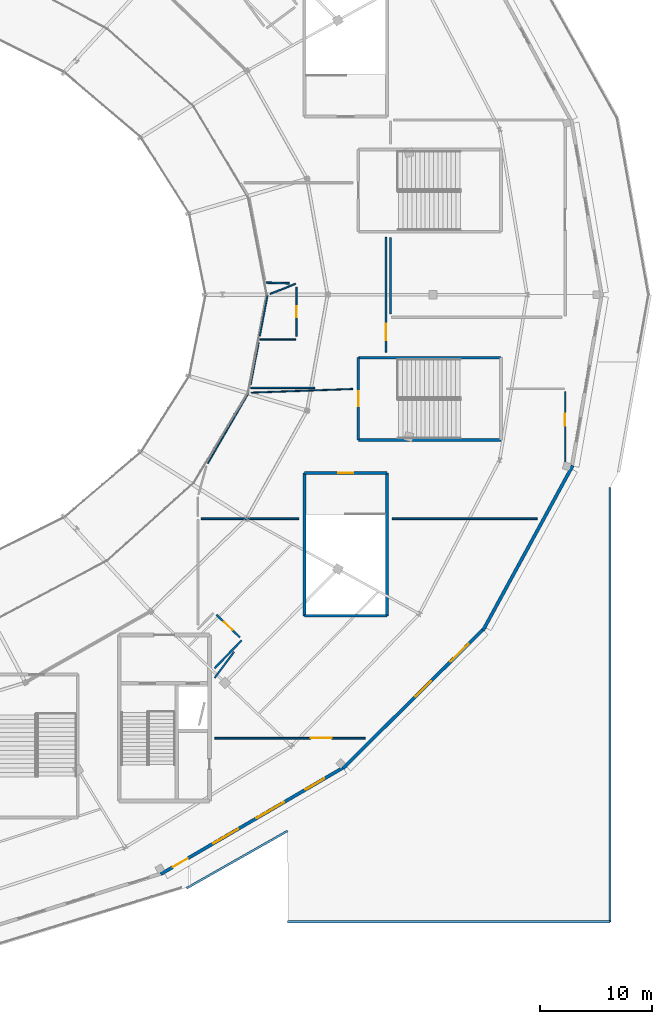
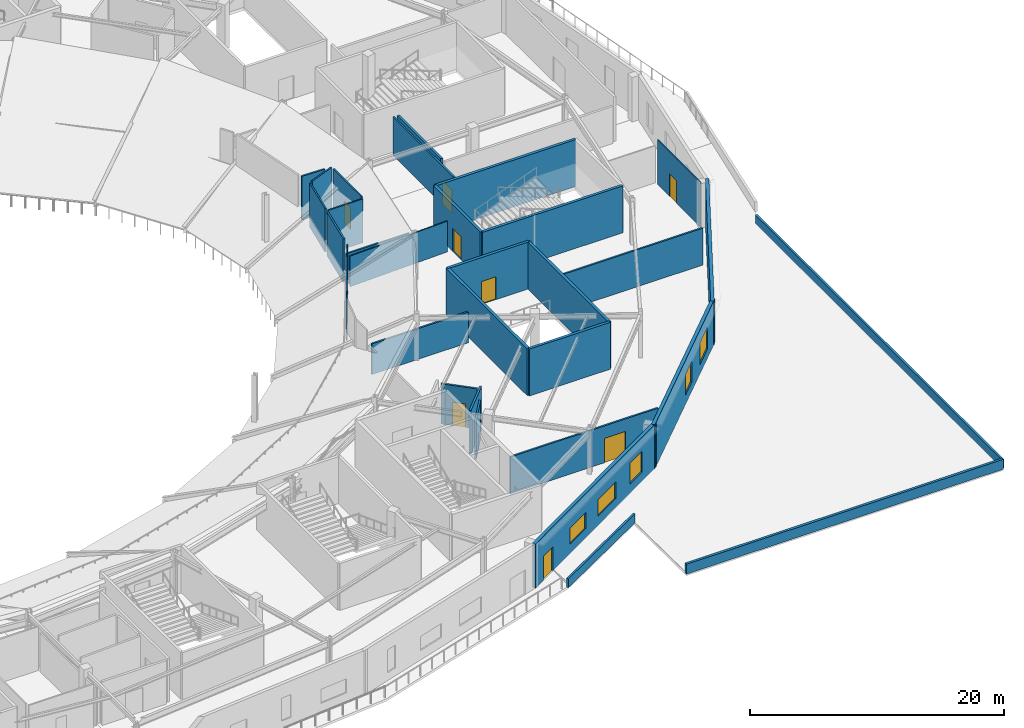
# One storey, part 40 of 63: 31 walls, 8 doors, 5 windows, 13 openings.
"""IFC4 building model written with IfcOpenShell, lengths in metres."""

from ifc_helpers import new_model, si_unit, direction, frame, frame_2d, origin, place, context, subcontext, project, spatial, rectangle, extrude, material, layer, layer_set, type_object, element, fill, save


model = new_model("IFC4")

# Units and contexts
model_context = context("Model", 3, precision=1e-05, world=origin(), true_north=direction((0.0, 1.0)))
body_context = subcontext(model_context, "Body", "Model", "MODEL_VIEW")
ifc_project = project(units=[si_unit("LENGTHUNIT", "METRE"), si_unit("AREAUNIT", "SQUARE_METRE"), si_unit("VOLUMEUNIT", "CUBIC_METRE"), si_unit("PLANEANGLEUNIT", "RADIAN"), si_unit("MASSUNIT", "GRAM", prefix="KILO")], contexts=[model_context])

# Site, building, storey
site_placement = place(None, origin())
site = spatial("IfcSite", under=ifc_project, at=site_placement, CompositionType="ELEMENT")
building_placement = place(site_placement, origin())
building = spatial("IfcBuilding", under=site, at=building_placement, Name="Kalgoora Escarpment Arena", CompositionType="ELEMENT")
storey_placement = place(building_placement, frame((0.0, 0.0, 14.39990234375)))
storey = spatial("IfcBuildingStorey", under=building, at=storey_placement, Name="L03", CompositionType="ELEMENT", Elevation=14.39990234375)

# Walls
ifc_material_1 = material(Name="Impact-resistant athlete corridor partition", Category="gypsum")
ifc_layer_1 = layer(ifc_material_1, 0.155029296875)
ifc_layer_set_1 = layer_set([ifc_layer_1], Name="WAL-BOH-155")
wall_type_1 = type_object("IfcWallType", Name="WAL-BOH-155", PredefinedType="PARTITIONING", material=ifc_layer_set_1)
wall_1_placement = place(storey_placement, frame((136.292724609375, 29.772705078125, 0.0), z_axis=(0.0, 0.0, 1.0), x_axis=(0.597587406811, 0.801803773514, 0.0)))
element("IfcWall", 1, at=wall_1_placement, inside=storey, type_object=wall_type_1, Name="L03 East Athletic Conditioning Lab partition wall", PredefinedType="PARTITIONING", context=body_context, shape_type="SweptSolid", body=[
    extrude(rectangle(XDim=2.9013671875, YDim=0.155029296875, at=frame_2d((1.45068359375, 0.0))), origin(), (0.0, 0.0, 1.0), 3.695068359375),
])
wall_2_placement = place(storey_placement, frame((135.084716796875, 44.0, 0.0), z_axis=(0.0, 0.0, 1.0), x_axis=(1.0, 0.0, 0.0)))
element("IfcWall", 2, at=wall_2_placement, inside=storey, type_object=wall_type_1, Name="L03 East Athletic Conditioning Lab partition wall", PredefinedType="PARTITIONING", context=body_context, shape_type="SweptSolid", body=[
    extrude(rectangle(XDim=8.740234375, YDim=0.155029296875, at=frame_2d((4.3701171875, 0.0))), origin(), (0.0, 0.0, 1.0), 2.943115234375),
])
wall_3_placement = place(storey_placement, frame((152.175048828125, 44.0, 0.0), z_axis=(0.0, 0.0, 1.0), x_axis=(1.0, 0.0, 0.0)))
element("IfcWall", 3, at=wall_3_placement, inside=storey, type_object=wall_type_1, Name="L03 East Athletic Conditioning Lab partition wall", PredefinedType="PARTITIONING", context=body_context, shape_type="SweptSolid", body=[
    extrude(rectangle(XDim=12.927001953125, YDim=0.155029296875, at=frame_2d((6.46337890625, 0.0))), origin(), (0.0, 0.0, 1.0), 3.543212890625),
])

# Wall, opening, door
wall_4_placement = place(storey_placement, frame((149.76171875, 24.39990234375, 0.0), z_axis=(0.0, 0.0, 1.0), x_axis=(-1.0, 0.0, 0.0)))
wall_4 = element("IfcWall", 4, at=wall_4_placement, inside=storey, type_object=wall_type_1, Name="L03 East Athletic Conditioning Lab partition wall", PredefinedType="PARTITIONING", context=body_context, shape_type="SweptSolid", body=[
    extrude(rectangle(XDim=13.436767578125, YDim=0.155029296875, at=frame_2d((6.71826171875, 0.0))), origin(), (0.0, 0.0, 1.0), 3.543212890625),
])
opening_1_placement = place(wall_4_placement, frame((2.99951171875, 0.0, 0.0)))
opening_1 = element("IfcOpeningElement", 5, at=opening_1_placement, cuts=wall_4, Name="Opening FD-I121", PredefinedType="OPENING", context=body_context, shape_type="SweptSolid", body=[
    extrude(rectangle(XDim=1.89990234375, YDim=2.35009765625, at=frame_2d((0.949951171875, 1.175048828125))), frame((0.0, 0.08740234375, 0.0), z_axis=(0.0, -1.0, 0.0), x_axis=(1.0, 0.0, 0.0)), (0.0, 0.0, 1.0), 0.175048828125),
])
ifc_material_2 = material(Name="Wide double athlete & equipment hall door")
door_type_1 = type_object("IfcDoorType", Name="DR-ATH-1900", OperationType="NOTDEFINED", PredefinedType="DOOR", material=ifc_material_2)
door_1_placement = place(opening_1_placement, origin())
door_1 = element("IfcDoor", 6, at=door_1_placement, inside=storey, type_object=door_type_1, Name="East Athletic Conditioning Lab entrance door", OperationType="DOUBLE_DOOR_SINGLE_SWING", OverallHeight=2.35009765625, OverallWidth=1.89990234375, PredefinedType="DOOR", context=body_context, shape_type="SweptSolid", body=[
    extrude(rectangle(XDim=1.89990234375, YDim=2.35009765625, at=frame_2d((0.949951171875, 1.175048828125))), frame((0.0, 0.02490234375, 0.0), z_axis=(0.0, -1.0, 0.0), x_axis=(1.0, 0.0, 0.0)), (0.0, 0.0, 1.0), 0.050048828125),
])
fill(opening_1, door_1)

# Wall
ifc_material_3 = material(Name="Upper concourse insulated spandrel wall 40 MPa", Category="concrete")
ifc_layer_2 = layer(ifc_material_3, 0.2900390625)
ifc_layer_set_2 = layer_set([ifc_layer_2], Name="WAL-EXT-290")
wall_type_2 = type_object("IfcWallType", Name="WAL-EXT-290", PredefinedType="SOLIDWALL", material=ifc_layer_set_2)
wall_5_placement = place(storey_placement, frame((168.27490234375, 48.73974609375, 0.0), z_axis=(0.0, 0.0, 1.0), x_axis=(-0.47816402112, -0.878270555641, 0.0)))
element("IfcWall", 7, at=wall_5_placement, inside=storey, type_object=wall_type_2, Name="L03 limestone-faced external wall 067", PredefinedType="SOLIDWALL", context=body_context, shape_type="SweptSolid", body=[
    extrude(rectangle(XDim=16.75830078125, YDim=0.2900390625, at=frame_2d((8.379150390625, 0.0))), origin(), (0.0, 0.0, 1.0), 4.260009765625),
])

# Wall, openings, windows
wall_6_placement = place(storey_placement, frame((160.48681640625, 34.3212890625, 0.0), z_axis=(0.0, 0.0, 1.0), x_axis=(-0.710110182589, -0.704090568452, 0.0)))
wall_6 = element("IfcWall", 8, at=wall_6_placement, inside=storey, type_object=wall_type_2, Name="L03 limestone-faced external wall 068", PredefinedType="SOLIDWALL", context=body_context, shape_type="SweptSolid", body=[
    extrude(rectangle(XDim=17.926513671875, YDim=0.2900390625, at=frame_2d((8.96337890625, 0.0))), origin(), (0.0, 0.0, 1.0), 4.260009765625),
])
opening_2_placement = place(wall_6_placement, frame((2.125, 0.0, 0.89990234375)))
opening_2 = element("IfcOpeningElement", 9, at=opening_2_placement, cuts=wall_6, Name="Opening W-07", PredefinedType="OPENING", context=body_context, shape_type="SweptSolid", body=[
    extrude(rectangle(XDim=2.25, YDim=2.10009765625, at=frame_2d((1.125, 1.050048828125))), frame((0.0, 0.155029296875, 0.0), z_axis=(0.0, -1.0, 0.0), x_axis=(1.0, 0.0, 0.0)), (0.0, 0.0, 1.0), 0.31005859375),
])
opening_3_placement = place(wall_6_placement, frame((6.875, 0.0, 0.89990234375)))
opening_3 = element("IfcOpeningElement", 10, at=opening_3_placement, cuts=wall_6, Name="Opening W-09", PredefinedType="OPENING", context=body_context, shape_type="SweptSolid", body=[
    extrude(rectangle(XDim=1.949951171875, YDim=2.0, at=frame_2d((0.97509765625, 1.0))), frame((0.0, 0.155029296875, 0.0), z_axis=(0.0, -1.0, 0.0), x_axis=(1.0, 0.0, 0.0)), (0.0, 0.0, 1.0), 0.31005859375),
])
ifc_material_4 = material(Name="Low-E solar-control double glazing in champagne frame", Category="glass")
window_type_1 = type_object("IfcWindowType", Name="WIN-DECO-1950x2000", PartitioningType="SINGLE_PANEL", PredefinedType="WINDOW", material=ifc_material_4)
window_1_placement = place(opening_3_placement, origin())
window_1 = element("IfcWindow", 11, at=window_1_placement, inside=storey, type_object=window_type_1, Name="L03 scheduled facade window 108", OverallHeight=2.0, OverallWidth=1.949951171875, PartitioningType="SINGLE_PANEL", PredefinedType="WINDOW", context=body_context, shape_type="SweptSolid", body=[
    extrude(rectangle(XDim=1.949951171875, YDim=2.0, at=frame_2d((0.97509765625, 1.0))), frame((0.0, 0.030029296875, 0.0), z_axis=(0.0, -1.0, 0.0), x_axis=(1.0, 0.0, 0.0)), (0.0, 0.0, 1.0), 0.06005859375),
])
fill(opening_3, window_1)
ifc_material_5 = material(Name="Low-E solar-control double glazing in champagne frame", Category="glass")
window_type_2 = type_object("IfcWindowType", Name="WIN-DECO-2250x2100", PartitioningType="SINGLE_PANEL", PredefinedType="WINDOW", material=ifc_material_5)
window_2_placement = place(opening_2_placement, origin())
window_2 = element("IfcWindow", 12, at=window_2_placement, inside=storey, type_object=window_type_2, Name="L03 scheduled facade window 107", OverallHeight=2.10009765625, OverallWidth=2.25, PartitioningType="SINGLE_PANEL", PredefinedType="WINDOW", context=body_context, shape_type="SweptSolid", body=[
    extrude(rectangle(XDim=2.25, YDim=2.10009765625, at=frame_2d((1.125, 1.050048828125))), frame((0.0, 0.030029296875, 0.0), z_axis=(0.0, -1.0, 0.0), x_axis=(1.0, 0.0, 0.0)), (0.0, 0.0, 1.0), 0.06005859375),
])
fill(opening_2, window_2)

# Wall, openings, door, windows
wall_7_placement = place(storey_placement, frame((148.05078125, 21.925048828125, 0.0), z_axis=(0.0, 0.0, 1.0), x_axis=(-0.863607623942, -0.504164528572, 0.0)))
wall_7 = element("IfcWall", 13, at=wall_7_placement, inside=storey, type_object=wall_type_2, Name="L03 limestone-faced external wall 069", PredefinedType="SOLIDWALL", context=body_context, shape_type="SweptSolid", body=[
    extrude(rectangle(XDim=19.185791015625, YDim=0.2900390625, at=frame_2d((9.5927734375, 0.0))), origin(), (0.0, 0.0, 1.0), 4.260009765625),
])
opening_4_placement = place(wall_7_placement, frame((16.40087890625, 0.0, 0.0)))
opening_4 = element("IfcOpeningElement", 14, at=opening_4_placement, cuts=wall_7, Name="Opening TD22", PredefinedType="OPENING", context=body_context, shape_type="SweptSolid", body=[
    extrude(rectangle(XDim=1.550048828125, YDim=2.300048828125, at=frame_2d((0.77490234375, 1.14990234375))), frame((0.0, 0.155029296875, 0.0), z_axis=(0.0, -1.0, 0.0), x_axis=(1.0, 0.0, 0.0)), (0.0, 0.0, 1.0), 0.31005859375),
])
opening_5_placement = place(wall_7_placement, frame((2.27490234375, 0.0, 0.89990234375)))
opening_5 = element("IfcOpeningElement", 15, at=opening_5_placement, cuts=wall_7, Name="Opening W-09", PredefinedType="OPENING", context=body_context, shape_type="SweptSolid", body=[
    extrude(rectangle(XDim=1.949951171875, YDim=2.0, at=frame_2d((0.97509765625, 1.0))), frame((0.0, 0.155029296875, 0.0), z_axis=(0.0, -1.0, 0.0), x_axis=(1.0, 0.0, 0.0)), (0.0, 0.0, 1.0), 0.31005859375),
])
opening_6_placement = place(wall_7_placement, frame((6.425048828125, 0.0, 0.89990234375)))
opening_6 = element("IfcOpeningElement", 16, at=opening_6_placement, cuts=wall_7, Name="Opening W-11", PredefinedType="OPENING", context=body_context, shape_type="SweptSolid", body=[
    extrude(rectangle(XDim=2.85009765625, YDim=1.60009765625, at=frame_2d((1.425048828125, 0.800048828125))), frame((0.0, 0.155029296875, 0.0), z_axis=(0.0, -1.0, 0.0), x_axis=(1.0, 0.0, 0.0)), (0.0, 0.0, 1.0), 0.31005859375),
])
opening_7_placement = place(wall_7_placement, frame((11.175048828125, 0.0, 0.89990234375)))
opening_7 = element("IfcOpeningElement", 17, at=opening_7_placement, cuts=wall_7, Name="Opening W-13", PredefinedType="OPENING", context=body_context, shape_type="SweptSolid", body=[
    extrude(rectangle(XDim=2.550048828125, YDim=1.550048828125, at=frame_2d((1.27490234375, 0.77490234375))), frame((0.0, 0.155029296875, 0.0), z_axis=(0.0, -1.0, 0.0), x_axis=(1.0, 0.0, 0.0)), (0.0, 0.0, 1.0), 0.31005859375),
])
ifc_material_6 = material(Name="Thermally broken aluminium glazed terrace double door", Category="aluminium")
door_type_2 = type_object("IfcDoorType", Name="DR-TERR-1550", OperationType="NOTDEFINED", PredefinedType="DOOR", material=ifc_material_6)
door_2_placement = place(opening_4_placement, origin())
door_2 = element("IfcDoor", 18, at=door_2_placement, inside=storey, type_object=door_type_2, Name="Upper Planted Elliptical Garden Terrace access door TD22", OperationType="DOUBLE_DOOR_SINGLE_SWING", OverallHeight=2.300048828125, OverallWidth=1.550048828125, PredefinedType="DOOR", context=body_context, shape_type="SweptSolid", body=[
    extrude(rectangle(XDim=1.550048828125, YDim=2.300048828125, at=frame_2d((0.77490234375, 1.14990234375))), frame((0.0, 0.02490234375, 0.0), z_axis=(0.0, -1.0, 0.0), x_axis=(1.0, 0.0, 0.0)), (0.0, 0.0, 1.0), 0.050048828125),
])
fill(opening_4, door_2)
ifc_material_7 = material(Name="Low-E solar-control double glazing in champagne frame", Category="glass")
window_type_3 = type_object("IfcWindowType", Name="WIN-BAND-2550x1550", PartitioningType="SINGLE_PANEL", PredefinedType="WINDOW", material=ifc_material_7)
window_3_placement = place(opening_7_placement, origin())
window_3 = element("IfcWindow", 19, at=window_3_placement, inside=storey, type_object=window_type_3, Name="L03 scheduled facade window 111", OverallHeight=1.550048828125, OverallWidth=2.550048828125, PartitioningType="SINGLE_PANEL", PredefinedType="WINDOW", context=body_context, shape_type="SweptSolid", body=[
    extrude(rectangle(XDim=2.550048828125, YDim=1.550048828125, at=frame_2d((1.27490234375, 0.77490234375))), frame((0.0, 0.030029296875, 0.0), z_axis=(0.0, -1.0, 0.0), x_axis=(1.0, 0.0, 0.0)), (0.0, 0.0, 1.0), 0.06005859375),
])
fill(opening_7, window_3)
ifc_material_8 = material(Name="Low-E solar-control double glazing in champagne frame", Category="glass")
window_type_4 = type_object("IfcWindowType", Name="WIN-BAND-2850x1600", PartitioningType="SINGLE_PANEL", PredefinedType="WINDOW", material=ifc_material_8)
window_4_placement = place(opening_6_placement, origin())
window_4 = element("IfcWindow", 20, at=window_4_placement, inside=storey, type_object=window_type_4, Name="L03 scheduled facade window 110", OverallHeight=1.60009765625, OverallWidth=2.85009765625, PartitioningType="SINGLE_PANEL", PredefinedType="WINDOW", context=body_context, shape_type="SweptSolid", body=[
    extrude(rectangle(XDim=2.85009765625, YDim=1.60009765625, at=frame_2d((1.425048828125, 0.800048828125))), frame((0.0, 0.030029296875, 0.0), z_axis=(0.0, -1.0, 0.0), x_axis=(1.0, 0.0, 0.0)), (0.0, 0.0, 1.0), 0.06005859375),
])
fill(opening_6, window_4)
window_5_placement = place(opening_5_placement, origin())
window_5 = element("IfcWindow", 21, at=window_5_placement, inside=storey, type_object=window_type_1, Name="L03 scheduled facade window 109", OverallHeight=2.0, OverallWidth=1.949951171875, PartitioningType="SINGLE_PANEL", PredefinedType="WINDOW", context=body_context, shape_type="SweptSolid", body=[
    extrude(rectangle(XDim=1.949951171875, YDim=2.0, at=frame_2d((0.97509765625, 1.0))), frame((0.0, 0.030029296875, 0.0), z_axis=(0.0, -1.0, 0.0), x_axis=(1.0, 0.0, 0.0)), (0.0, 0.0, 1.0), 0.06005859375),
])
fill(opening_5, window_5)

# Walls
ifc_material_9 = material(Name="Framed acoustic studio partition", Category="gypsum")
ifc_layer_3 = layer(ifc_material_9, 0.10498046875)
ifc_layer_set_3 = layer_set([ifc_layer_3], Name="WAL-GLZ-105")
wall_type_3 = type_object("IfcWallType", Name="WAL-GLZ-105", PredefinedType="PARTITIONING", material=ifc_layer_set_3)
wall_8_placement = place(storey_placement, frame((135.68359375, 48.94140625, 0.0), z_axis=(0.0, 0.0, 1.0), x_axis=(0.501857543881, 0.864950290855, 0.0)))
element("IfcWall", 22, at=wall_8_placement, inside=storey, type_object=wall_type_3, Name="L03 Sports Science Seminar Hall partition wall", PredefinedType="PARTITIONING", context=body_context, shape_type="SweptSolid", body=[
    extrude(rectangle(XDim=7.20458984375, YDim=0.10498046875, at=frame_2d((3.602294921875, 0.0))), origin(), (0.0, 0.0, 1.0), 4.2001953125),
])
wall_9_placement = place(storey_placement, frame((139.585693359375, 55.251220703125, 0.0), z_axis=(0.0, 0.0, 1.0), x_axis=(0.999338874041, 0.036356771461, 0.0)))
element("IfcWall", 23, at=wall_9_placement, inside=storey, type_object=wall_type_3, Name="L03 Sports Science Seminar Hall partition wall", PredefinedType="PARTITIONING", context=body_context, shape_type="SweptSolid", body=[
    extrude(rectangle(XDim=9.045166015625, YDim=0.10498046875, at=frame_2d((4.5224609375, 0.0))), origin(), (0.0, 0.0, 1.0), 2.943115234375),
])

# Wall, opening, door
wall_10_placement = place(storey_placement, frame((167.60009765625, 55.315185546875, 0.0), z_axis=(0.0, 0.0, 1.0), x_axis=(0.0, -1.0, 0.0)))
wall_10 = element("IfcWall", 24, at=wall_10_placement, inside=storey, type_object=wall_type_3, Name="L03 Sports Science Seminar Hall partition wall", PredefinedType="PARTITIONING", context=body_context, shape_type="SweptSolid", body=[
    extrude(rectangle(XDim=6.7939453125, YDim=0.10498046875, at=frame_2d((3.39697265625, 0.0))), origin(), (0.0, 0.0, 1.0), 4.260009765625),
])
opening_8_placement = place(wall_10_placement, frame((1.94287109375, 0.0, 0.0)))
opening_8 = element("IfcOpeningElement", 25, at=opening_8_placement, cuts=wall_10, Name="Opening FD-I122", PredefinedType="OPENING", context=body_context, shape_type="SweptSolid", body=[
    extrude(rectangle(XDim=1.080078125, YDim=2.14990234375, at=frame_2d((0.5400390625, 1.074951171875))), frame((0.0, 0.0625, 0.0), z_axis=(0.0, -1.0, 0.0), x_axis=(1.0, 0.0, 0.0)), (0.0, 0.0, 1.0), 0.125),
])
ifc_material_10 = material(Name="Solid-core acoustic timber door", Category="wood")
door_type_3 = type_object("IfcDoorType", Name="DR-GEN-1080", OperationType="NOTDEFINED", PredefinedType="DOOR", material=ifc_material_10)
door_3_placement = place(opening_8_placement, origin())
door_3 = element("IfcDoor", 26, at=door_3_placement, inside=storey, type_object=door_type_3, Name="Sports Science Seminar Hall entrance door", OperationType="SINGLE_SWING_RIGHT", OverallHeight=2.14990234375, OverallWidth=1.080078125, PredefinedType="DOOR", context=body_context, shape_type="SweptSolid", body=[
    extrude(rectangle(XDim=1.080078125, YDim=2.14990234375, at=frame_2d((0.5400390625, 1.074951171875))), frame((0.0, 0.02490234375, 0.0), z_axis=(0.0, -1.0, 0.0), x_axis=(1.0, 0.0, 0.0)), (0.0, 0.0, 1.0), 0.050048828125),
])
fill(opening_8, door_3)

# Walls
ifc_material_11 = material(Name="Stepped ziggurat roof parapet Concrete N40 (fc' 40 MPa)", Category="concrete")
ifc_layer_4 = layer(ifc_material_11, 0.18505859375)
ifc_layer_set_4 = layer_set([ifc_layer_4], Name="WAL-PAR-185")
wall_type_4 = type_object("IfcWallType", Name="WAL-PAR-185", PredefinedType="PARAPET", material=ifc_layer_set_4)
wall_11_placement = place(storey_placement, frame((142.800048828125, 16.103515625, 0.0), z_axis=(0.0, 0.0, 1.0), x_axis=(-0.869846022988, -0.493323318213, 0.0)))
element("IfcWall", 27, at=wall_11_placement, inside=storey, type_object=wall_type_4, Name="L03 stepped ziggurat limestone parapet 006", PredefinedType="PARAPET", context=body_context, shape_type="SweptSolid", body=[
    extrude(rectangle(XDim=10.3466796875, YDim=0.18505859375, at=frame_2d((5.17333984375, 0.0))), origin(), (0.0, 0.0, 1.0), 0.85009765625),
])
wall_12_placement = place(storey_placement, frame((171.60009765625, 46.770751953125, 0.0), z_axis=(0.0, 0.0, 1.0), x_axis=(0.0, -1.0, 0.0)))
element("IfcWall", 28, at=wall_12_placement, inside=storey, type_object=wall_type_4, Name="L03 stepped ziggurat limestone parapet 008", PredefinedType="PARAPET", context=body_context, shape_type="SweptSolid", body=[
    extrude(rectangle(XDim=38.770751953125, YDim=0.18505859375, at=frame_2d((19.38525390625, 0.0))), origin(), (0.0, 0.0, 1.0), 0.85009765625),
])
ifc_material_12 = material(Name="Precast limestone coping parapet Concrete N40 (fc' 40 MPa)", Category="masonry")
ifc_layer_5 = layer(ifc_material_12, 0.22509765625)
ifc_layer_set_5 = layer_set([ifc_layer_5], Name="WAL-PAR-225")
wall_type_5 = type_object("IfcWallType", Name="WAL-PAR-225", PredefinedType="PARAPET", material=ifc_layer_set_5)
wall_13_placement = place(storey_placement, frame((171.60009765625, 8.0, 0.0), z_axis=(0.0, 0.0, 1.0), x_axis=(-1.0, 0.0, 0.0)))
element("IfcWall", 29, at=wall_13_placement, inside=storey, type_object=wall_type_5, Name="L03 stepped ziggurat limestone parapet 005", PredefinedType="PARAPET", context=body_context, shape_type="SweptSolid", body=[
    extrude(rectangle(XDim=28.800048828125, YDim=0.22509765625, at=frame_2d((14.39990234375, 0.0))), origin(), (0.0, 0.0, 1.0), 0.9501953125),
])
ifc_material_13 = material(Name="Acoustic masonry plant wall Concrete N40 (fc' 40 MPa)", Category="masonry")
ifc_layer_6 = layer(ifc_material_13, 0.205078125)
ifc_layer_set_6 = layer_set([ifc_layer_6], Name="WAL-PLANT-205")
wall_type_6 = type_object("IfcWallType", Name="WAL-PLANT-205", PredefinedType="SOLIDWALL", material=ifc_layer_set_6)
wall_14_placement = place(storey_placement, frame((152.0, 62.284912109375, 0.0), z_axis=(0.0, 0.0, 1.0), x_axis=(0.0, 1.0, 0.0)))
element("IfcWall", 30, at=wall_14_placement, inside=storey, type_object=wall_type_6, Name="L03 Upper Acoustic Dimmer Plant partition wall", PredefinedType="SOLIDWALL", context=body_context, shape_type="SweptSolid", body=[
    extrude(rectangle(XDim=6.840087890625, YDim=0.205078125, at=frame_2d((3.419921875, 0.0))), origin(), (0.0, 0.0, 1.0), 3.695068359375),
])
ifc_material_14 = material(Name="Insulated steel-stud acoustic partition", Category="steel")
ifc_layer_7 = layer(ifc_material_14, 0.14501953125)
ifc_layer_set_7 = layer_set([ifc_layer_7], Name="WAL-ROOM-145")
wall_type_7 = type_object("IfcWallType", Name="WAL-ROOM-145", PredefinedType="PARTITIONING", material=ifc_layer_set_7)
wall_15_placement = place(storey_placement, frame((145.238525390625, 55.679931640625, 0.0), z_axis=(0.0, 0.0, 1.0), x_axis=(-1.0, 0.0, 0.0)))
element("IfcWall", 31, at=wall_15_placement, inside=storey, type_object=wall_type_7, Name="L03 Upper Concourse Commissary Store partition wall", PredefinedType="PARTITIONING", context=body_context, shape_type="SweptSolid", body=[
    extrude(rectangle(XDim=5.721923828125, YDim=0.14501953125, at=frame_2d((2.86083984375, 0.0))), origin(), (0.0, 0.0, 1.0), 2.943115234375),
])
wall_16_placement = place(storey_placement, frame((139.492919921875, 55.97509765625, 0.0), z_axis=(0.0, 0.0, 1.0), x_axis=(0.187411082395, 0.982281571748, 0.0)))
element("IfcWall", 32, at=wall_16_placement, inside=storey, type_object=wall_type_7, Name="L03 Upper Concourse Commissary Store partition wall", PredefinedType="PARTITIONING", context=body_context, shape_type="SweptSolid", body=[
    extrude(rectangle(XDim=3.827392578125, YDim=0.14501953125, at=frame_2d((1.91357421875, 0.0))), origin(), (0.0, 0.0, 1.0), 4.2001953125),
])
wall_17_placement = place(storey_placement, frame((142.9658203125, 65.01953125, 0.0), z_axis=(0.0, 0.0, 1.0), x_axis=(-0.999621756805, 0.027501696698, 0.0)))
element("IfcWall", 33, at=wall_17_placement, inside=storey, type_object=wall_type_7, Name="L03 Upper Concourse Commissary Store partition wall", PredefinedType="PARTITIONING", context=body_context, shape_type="SweptSolid", body=[
    extrude(rectangle(XDim=2.068359375, YDim=0.14501953125, at=frame_2d((1.0341796875, 0.0))), origin(), (0.0, 0.0, 1.0), 4.2001953125),
])

# Wall, opening, door
wall_18_placement = place(storey_placement, frame((151.60009765625, 69.125, 0.0), z_axis=(0.0, 0.0, 1.0), x_axis=(0.0, -1.0, 0.0)))
wall_18 = element("IfcWall", 34, at=wall_18_placement, inside=storey, type_object=wall_type_7, Name="L03 Upper Concourse Commissary Store partition wall", PredefinedType="PARTITIONING", context=body_context, shape_type="SweptSolid", body=[
    extrude(rectangle(XDim=10.25, YDim=0.14501953125, at=frame_2d((5.125, 0.0))), origin(), (0.0, 0.0, 1.0), 3.695068359375),
])
opening_9_placement = place(wall_18_placement, frame((7.699951171875, 0.0, 0.0)))
opening_9 = element("IfcOpeningElement", 35, at=opening_9_placement, cuts=wall_18, Name="Opening FD-I130", PredefinedType="OPENING", context=body_context, shape_type="SweptSolid", body=[
    extrude(rectangle(XDim=1.5, YDim=2.199951171875, at=frame_2d((0.75, 1.10009765625))), frame((0.0, 0.08251953125, 0.0), z_axis=(0.0, -1.0, 0.0), x_axis=(1.0, 0.0, 0.0)), (0.0, 0.0, 1.0), 0.1650390625),
])
ifc_material_15 = material(Name="Stainless-clad fire-rated kitchen double door")
door_type_4 = type_object("IfcDoorType", Name="DR-KIT-1500", OperationType="NOTDEFINED", PredefinedType="DOOR", material=ifc_material_15)
door_4_placement = place(opening_9_placement, origin())
door_4 = element("IfcDoor", 36, at=door_4_placement, inside=storey, type_object=door_type_4, Name="Upper Concourse Commissary Store entrance door", OperationType="DOUBLE_DOOR_SINGLE_SWING", OverallHeight=2.199951171875, OverallWidth=1.5, PredefinedType="DOOR", context=body_context, shape_type="SweptSolid", body=[
    extrude(rectangle(XDim=1.5, YDim=2.199951171875, at=frame_2d((0.75, 1.10009765625))), frame((0.0, 0.02490234375, 0.0), z_axis=(0.0, -1.0, 0.0), x_axis=(1.0, 0.0, 0.0)), (0.0, 0.0, 1.0), 0.050048828125),
])
fill(opening_9, door_4)

# Walls
ifc_material_16 = material(Name="Concrete N50 (fc' 50 MPa)", Category="concrete")
ifc_layer_8 = layer(ifc_material_16, 0.25)
ifc_layer_set_8 = layer_set([ifc_layer_8], Name="WAL-STAIR-250")
wall_type_8 = type_object("IfcWallType", Name="WAL-STAIR-250", PredefinedType="SHEAR", material=ifc_layer_set_8)
for number, where, z_axis, x_axis, name in (
    (37, (149.125, 51.02490234375, 0.0), (0.0, 0.0, 1.0), (1.0, 0.0, 0.0), "Exit stair ST22 L03 south wall"),
    (38, (149.125, 58.375, 0.0), (0.0, 0.0, 1.0), (1.0, 0.0, 0.0), "Exit stair ST22 L03 north wall"),
):
    element("IfcWall", number, at=place(storey_placement, frame(where, z_axis=z_axis, x_axis=x_axis)), inside=storey, type_object=wall_type_8, Name=name, PredefinedType="SHEAR", context=body_context, shape_type="SweptSolid", body=[
        extrude(rectangle(XDim=12.75, YDim=0.25, at=frame_2d((6.375, 0.0))), origin(), (0.0, 0.0, 1.0), 4.5),
    ])

# Wall, opening, door
wall_19_placement = place(storey_placement, frame((149.125, 51.02490234375, 0.0), z_axis=(0.0, 0.0, 1.0), x_axis=(0.0, 1.0, 0.0)))
wall_19 = element("IfcWall", 39, at=wall_19_placement, inside=storey, type_object=wall_type_8, Name="Exit stair ST22 L03 west wall", PredefinedType="SHEAR", context=body_context, shape_type="SweptSolid", body=[
    extrude(rectangle(XDim=7.35009765625, YDim=0.25, at=frame_2d((3.675048828125, 0.0))), origin(), (0.0, 0.0, 1.0), 4.5),
])
opening_10_placement = place(wall_19_placement, frame((3.014892578125, 0.0, 0.0)))
opening_10 = element("IfcOpeningElement", 40, at=opening_10_placement, cuts=wall_19, Name="Opening FD-ST22", PredefinedType="OPENING", context=body_context, shape_type="SweptSolid", body=[
    extrude(rectangle(XDim=1.320068359375, YDim=2.199951171875, at=frame_2d((0.66015625, 1.10009765625))), frame((0.0, 0.135009765625, 0.0), z_axis=(0.0, -1.0, 0.0), x_axis=(1.0, 0.0, 0.0)), (0.0, 0.0, 1.0), 0.27001953125),
])
ifc_material_17 = material(Name="Fire-rated steel stair leaf with vision panel", Category="steel")
door_type_5 = type_object("IfcDoorType", Name="DR-STAIR-1320", OperationType="NOTDEFINED", PredefinedType="DOOR", material=ifc_material_17)
door_5_placement = place(opening_10_placement, origin())
door_5 = element("IfcDoor", 41, at=door_5_placement, inside=storey, type_object=door_type_5, Name="Fire-isolated stair ST22 L03 egress door", OperationType="SINGLE_SWING_LEFT", OverallHeight=2.199951171875, OverallWidth=1.320068359375, PredefinedType="DOOR", context=body_context, shape_type="SweptSolid", body=[
    extrude(rectangle(XDim=1.320068359375, YDim=2.199951171875, at=frame_2d((0.66015625, 1.10009765625))), frame((0.0, 0.02490234375, 0.0), z_axis=(0.0, -1.0, 0.0), x_axis=(1.0, 0.0, 0.0)), (0.0, 0.0, 1.0), 0.050048828125),
])
fill(opening_10, door_5)

# Wall
wall_20_placement = place(storey_placement, frame((144.324951171875, 35.324951171875, 0.0), z_axis=(0.0, 0.0, 1.0), x_axis=(1.0, 0.0, 0.0)))
element("IfcWall", 42, at=wall_20_placement, inside=storey, type_object=wall_type_8, Name="Exit stair ST24 L03 south wall", PredefinedType="SHEAR", context=body_context, shape_type="SweptSolid", body=[
    extrude(rectangle(XDim=7.35009765625, YDim=0.25, at=frame_2d((3.675048828125, 0.0))), origin(), (0.0, 0.0, 1.0), 4.5),
])

# Wall, opening, door
wall_21_placement = place(storey_placement, frame((144.324951171875, 48.074951171875, 0.0), z_axis=(0.0, 0.0, 1.0), x_axis=(1.0, 0.0, 0.0)))
wall_21 = element("IfcWall", 43, at=wall_21_placement, inside=storey, type_object=wall_type_8, Name="Exit stair ST24 L03 north wall", PredefinedType="SHEAR", context=body_context, shape_type="SweptSolid", body=[
    extrude(rectangle(XDim=7.35009765625, YDim=0.25, at=frame_2d((3.675048828125, 0.0))), origin(), (0.0, 0.0, 1.0), 4.5),
])
opening_11_placement = place(wall_21_placement, frame((3.014892578125, 0.0, 0.0)))
opening_11 = element("IfcOpeningElement", 44, at=opening_11_placement, cuts=wall_21, Name="Opening FD-ST24", PredefinedType="OPENING", context=body_context, shape_type="SweptSolid", body=[
    extrude(rectangle(XDim=1.320068359375, YDim=2.199951171875, at=frame_2d((0.66015625, 1.10009765625))), frame((0.0, 0.135009765625, 0.0), z_axis=(0.0, -1.0, 0.0), x_axis=(1.0, 0.0, 0.0)), (0.0, 0.0, 1.0), 0.27001953125),
])
door_6_placement = place(opening_11_placement, origin())
door_6 = element("IfcDoor", 45, at=door_6_placement, inside=storey, type_object=door_type_5, Name="Fire-isolated stair ST24 L03 egress door", OperationType="SINGLE_SWING_LEFT", OverallHeight=2.199951171875, OverallWidth=1.320068359375, PredefinedType="DOOR", context=body_context, shape_type="SweptSolid", body=[
    extrude(rectangle(XDim=1.320068359375, YDim=2.199951171875, at=frame_2d((0.66015625, 1.10009765625))), frame((0.0, 0.02490234375, 0.0), z_axis=(0.0, -1.0, 0.0), x_axis=(1.0, 0.0, 0.0)), (0.0, 0.0, 1.0), 0.050048828125),
])
fill(opening_11, door_6)

# Walls
for number, where, z_axis, x_axis, name in (
    (46, (144.324951171875, 35.324951171875, 0.0), (0.0, 0.0, 1.0), (0.0, 1.0, 0.0), "Exit stair ST24 L03 west wall"),
    (47, (151.675048828125, 35.324951171875, 0.0), (0.0, 0.0, 1.0), (0.0, 1.0, 0.0), "Exit stair ST24 L03 east wall"),
):
    element("IfcWall", number, at=place(storey_placement, frame(where, z_axis=z_axis, x_axis=x_axis)), inside=storey, type_object=wall_type_8, Name=name, PredefinedType="SHEAR", context=body_context, shape_type="SweptSolid", body=[
        extrude(rectangle(XDim=12.75, YDim=0.25, at=frame_2d((6.375, 0.0))), origin(), (0.0, 0.0, 1.0), 4.5),
    ])
ifc_material_18 = material(Name="Twin-stud acoustic plasterboard FRL -/60/60", Category="gypsum")
ifc_layer_9 = layer(ifc_material_18, 0.175048828125)
ifc_layer_set_9 = layer_set([ifc_layer_9], Name="WAL-SUITE-175")
wall_type_9 = type_object("IfcWallType", Name="WAL-SUITE-175", PredefinedType="PARTITIONING", material=ifc_layer_set_9)
wall_22_placement = place(storey_placement, frame((138.70751953125, 33.13525390625, 0.0), z_axis=(0.0, 0.0, 1.0), x_axis=(-0.694668699346, -0.719329825705, 0.0)))
element("IfcWall", 48, at=wall_22_placement, inside=storey, type_object=wall_type_9, Name="L03 Hospitality Suite HS37 partition wall", PredefinedType="PARTITIONING", context=body_context, shape_type="SweptSolid", body=[
    extrude(rectangle(XDim=3.46484375, YDim=0.175048828125, at=frame_2d((1.732421875, 0.0))), origin(), (0.0, 0.0, 1.0), 4.18017578125),
])

# Wall, opening, door
wall_23_placement = place(storey_placement, frame((136.4501953125, 35.42626953125, 0.0), z_axis=(0.0, 0.0, 1.0), x_axis=(0.7193296789, -0.694668851363, 0.0)))
wall_23 = element("IfcWall", 49, at=wall_23_placement, inside=storey, type_object=wall_type_9, Name="L03 Hospitality Suite HS37 partition wall", PredefinedType="PARTITIONING", context=body_context, shape_type="SweptSolid", body=[
    extrude(rectangle(XDim=2.930419921875, YDim=0.175048828125, at=frame_2d((1.46533203125, 0.0))), origin(), (0.0, 0.0, 1.0), 3.85107421875),
])
opening_12_placement = place(wall_23_placement, frame((0.940185546875, 0.0, 0.0)))
opening_12 = element("IfcOpeningElement", 50, at=opening_12_placement, cuts=wall_23, Name="Opening FD-I116", PredefinedType="OPENING", context=body_context, shape_type="SweptSolid", body=[
    extrude(rectangle(XDim=1.050048828125, YDim=2.25, at=frame_2d((0.52490234375, 1.125))), frame((0.0, 0.097412109375, 0.0), z_axis=(0.0, -1.0, 0.0), x_axis=(1.0, 0.0, 0.0)), (0.0, 0.0, 1.0), 0.195068359375),
])
ifc_material_19 = material(Name="Veneered timber acoustic suite entrance door", Category="wood")
door_type_6 = type_object("IfcDoorType", Name="DR-SUITE-1050", OperationType="NOTDEFINED", PredefinedType="DOOR", material=ifc_material_19)
door_7_placement = place(opening_12_placement, origin())
door_7 = element("IfcDoor", 51, at=door_7_placement, inside=storey, type_object=door_type_6, Name="Hospitality Suite HS37 entrance door", OperationType="SINGLE_SWING_RIGHT", OverallHeight=2.25, OverallWidth=1.050048828125, PredefinedType="DOOR", context=body_context, shape_type="SweptSolid", body=[
    extrude(rectangle(XDim=1.050048828125, YDim=2.25, at=frame_2d((0.52490234375, 1.125))), frame((0.0, 0.02490234375, 0.0), z_axis=(0.0, -1.0, 0.0), x_axis=(1.0, 0.0, 0.0)), (0.0, 0.0, 1.0), 0.050048828125),
])
fill(opening_12, door_7)

# Walls
ifc_material_20 = material(Name="Moisture-resistant wet-area partition", Category="gypsum")
ifc_layer_10 = layer(ifc_material_20, 0.125)
ifc_layer_set_10 = layer_set([ifc_layer_10], Name="WAL-WC-125")
wall_type_10 = type_object("IfcWallType", Name="WAL-WC-125", PredefinedType="PARTITIONING", material=ifc_layer_set_10)
wall_24_placement = place(storey_placement, frame((143.52001953125, 60.0, 0.0), z_axis=(0.0, 0.0, 1.0), x_axis=(-1.0, 0.0, 0.0)))
element("IfcWall", 52, at=wall_24_placement, inside=storey, type_object=wall_type_10, Name="L03 Staff WC 2 partition wall", PredefinedType="PARTITIONING", context=body_context, shape_type="SweptSolid", body=[
    extrude(rectangle(XDim=3.17919921875, YDim=0.125, at=frame_2d((1.589599609375, 0.0))), origin(), (0.0, 0.0, 1.0), 4.2001953125),
])
wall_25_placement = place(storey_placement, frame((140.317138671875, 60.294921875, 0.0), z_axis=(0.0, 0.0, 1.0), x_axis=(0.187102938602, 0.982340312909, 0.0)))
element("IfcWall", 53, at=wall_25_placement, inside=storey, type_object=wall_type_10, Name="L03 Staff WC 2 partition wall", PredefinedType="PARTITIONING", context=body_context, shape_type="SweptSolid", body=[
    extrude(rectangle(XDim=3.670654296875, YDim=0.125, at=frame_2d((1.83544921875, 0.0))), origin(), (0.0, 0.0, 1.0), 4.2001953125),
])
wall_26_placement = place(storey_placement, frame((141.248291015625, 64.06982421875, 0.0), z_axis=(0.0, 0.0, 1.0), x_axis=(0.929886191802, 0.367847346457, 0.0)))
element("IfcWall", 54, at=wall_26_placement, inside=storey, type_object=wall_type_10, Name="L03 Staff WC 2 partition wall", PredefinedType="PARTITIONING", context=body_context, shape_type="SweptSolid", body=[
    extrude(rectangle(XDim=2.448974609375, YDim=0.125, at=frame_2d((1.224609375, 0.0))), origin(), (0.0, 0.0, 1.0), 4.2001953125),
])

# Wall, opening, door
wall_27_placement = place(storey_placement, frame((143.60009765625, 64.683349609375, 0.0), z_axis=(0.0, 0.0, 1.0), x_axis=(0.0, -1.0, 0.0)))
wall_27 = element("IfcWall", 55, at=wall_27_placement, inside=storey, type_object=wall_type_10, Name="L03 Staff WC 2 partition wall", PredefinedType="PARTITIONING", context=body_context, shape_type="SweptSolid", body=[
    extrude(rectangle(XDim=4.3984375, YDim=0.125, at=frame_2d((2.19921875, 0.0))), origin(), (0.0, 0.0, 1.0), 4.2001953125),
])
opening_13_placement = place(wall_27_placement, frame((1.724365234375, 0.0, 0.0)))
opening_13 = element("IfcOpeningElement", 56, at=opening_13_placement, cuts=wall_27, Name="Opening D-I108", PredefinedType="OPENING", context=body_context, shape_type="SweptSolid", body=[
    extrude(rectangle(XDim=0.949951171875, YDim=2.10009765625, at=frame_2d((0.47509765625, 1.050048828125))), frame((0.0, 0.072509765625, 0.0), z_axis=(0.0, -1.0, 0.0), x_axis=(1.0, 0.0, 0.0)), (0.0, 0.0, 1.0), 0.14501953125),
])
ifc_material_21 = material(Name="Moisture-resistant laminate accessible WC door")
door_type_7 = type_object("IfcDoorType", Name="DR-WC-0950", OperationType="NOTDEFINED", PredefinedType="DOOR", material=ifc_material_21)
door_8_placement = place(opening_13_placement, origin())
door_8 = element("IfcDoor", 57, at=door_8_placement, inside=storey, type_object=door_type_7, Name="Staff WC 2 entrance door", OperationType="SINGLE_SWING_RIGHT", OverallHeight=2.10009765625, OverallWidth=0.949951171875, PredefinedType="DOOR", context=body_context, shape_type="SweptSolid", body=[
    extrude(rectangle(XDim=0.949951171875, YDim=2.10009765625, at=frame_2d((0.47509765625, 1.050048828125))), frame((0.0, 0.02490234375, 0.0), z_axis=(0.0, -1.0, 0.0), x_axis=(1.0, 0.0, 0.0)), (0.0, 0.0, 1.0), 0.050048828125),
])
fill(opening_13, door_8)

save(model, "model.ifc")
